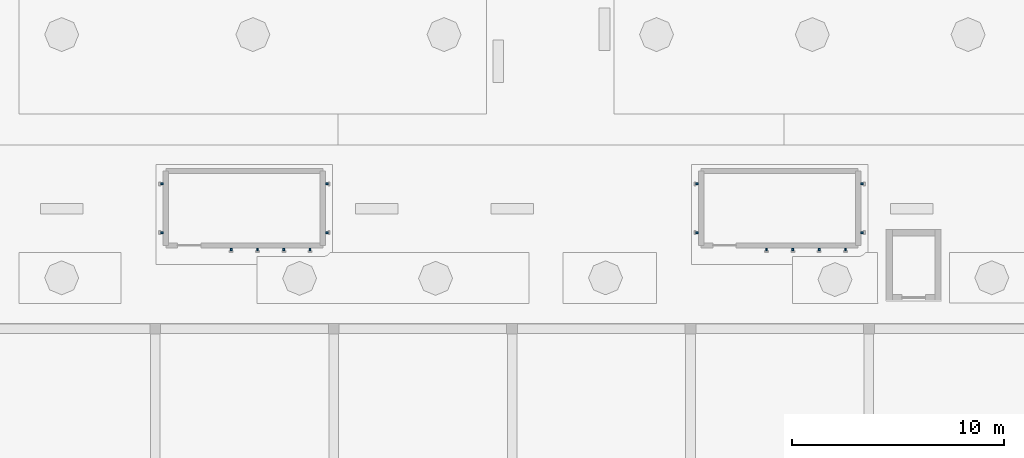
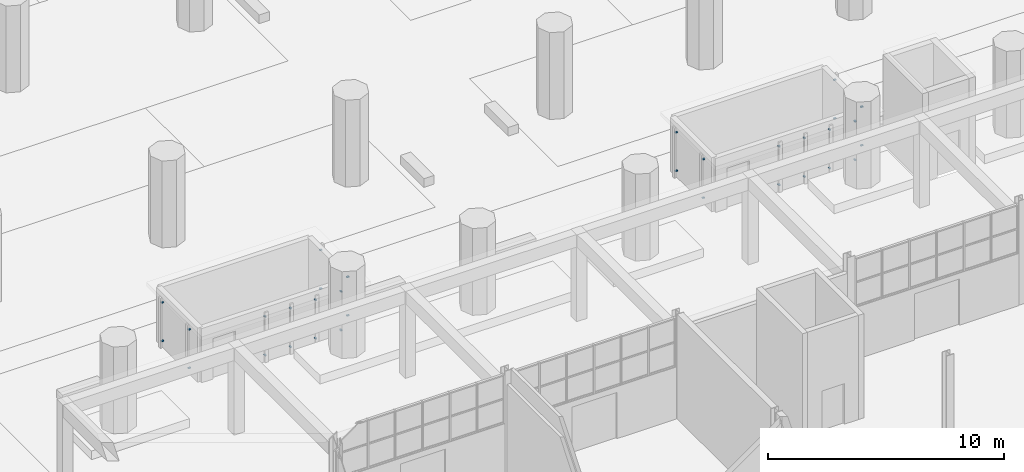
# One storey, part 90 of 127: 32 discrete accessories.
"""IFC4 building model written with IfcOpenShell, lengths in metres."""

from ifc_helpers import new_model, si_unit, direction, frame, origin, origin_2d, place, context, subcontext, project, spatial, rectangle, extrude, material, type_object, element, save


model = new_model("IFC4")

# Units and contexts
model_context = context("Model", 3, precision=1e-05, world=origin(), true_north=direction((0.0, 1.0)))
body_context = subcontext(model_context, "Body", "Model", "MODEL_VIEW")
ifc_project = project(units=[si_unit("LENGTHUNIT", "METRE"), si_unit("AREAUNIT", "SQUARE_METRE"), si_unit("VOLUMEUNIT", "CUBIC_METRE"), si_unit("PLANEANGLEUNIT", "RADIAN"), si_unit("MASSUNIT", "GRAM", prefix="KILO")], contexts=[model_context])

# Site, building, storey
site_placement = place(None, origin())
site = spatial("IfcSite", under=ifc_project, at=site_placement, CompositionType="ELEMENT")
building_placement = place(site_placement, origin())
building = spatial("IfcBuilding", under=site, at=building_placement, Name="Ljudholm Concert House", CompositionType="ELEMENT")
storey_placement = place(building_placement, origin())
storey = spatial("IfcBuildingStorey", under=building, at=storey_placement, Name="L00", CompositionType="ELEMENT", Elevation=0.0)

# Discrete accessories
ifc_material = material(Name="Stainless steel bracket", Category="steel")
discrete_accessory_type = type_object("IfcDiscreteAccessoryType", Name="BRACKET 120", PredefinedType="BRACKET", material=ifc_material)
for number, where, z_axis, x_axis, name in (
    (1, (15.97802734375, 142.139892578125, 0.369873046875), (0.0, 0.0, 1.0), (0.0, -1.0, 0.0), "Fin bracket"),
    (2, (15.97802734375, 142.139892578125, 2.369873046875), (0.0, 0.0, 1.0), (0.0, -1.0, 0.0), "Fin bracket"),
    (3, (17.217041015625, 142.139892578125, 0.369873046875), (0.0, 0.0, 1.0), (0.0, -1.0, 0.0), "Fin bracket"),
    (4, (17.217041015625, 142.139892578125, 2.369873046875), (0.0, 0.0, 1.0), (0.0, -1.0, 0.0), "Fin bracket"),
    (5, (18.4560546875, 142.139892578125, 0.369873046875), (0.0, 0.0, 1.0), (0.0, -1.0, 0.0), "Fin bracket"),
    (6, (18.4560546875, 142.139892578125, 2.369873046875), (0.0, 0.0, 1.0), (0.0, -1.0, 0.0), "Fin bracket"),
    (7, (19.695068359375, 142.139892578125, 0.369873046875), (0.0, 0.0, 1.0), (0.0, -1.0, 0.0), "Fin bracket"),
    (8, (19.695068359375, 142.139892578125, 2.369873046875), (0.0, 0.0, 1.0), (0.0, -1.0, 0.0), "Fin bracket"),
    (9, (12.715087890625, 142.925048828125, 0.369873046875), (0.0, 0.0, 1.0), (-1.0, 0.0, 0.0), "Fin bracket"),
    (10, (12.715087890625, 142.925048828125, 2.369873046875), (0.0, 0.0, 1.0), (-1.0, 0.0, 0.0), "Fin bracket"),
    (11, (12.715087890625, 145.22509765625, 0.369873046875), (0.0, 0.0, 1.0), (-1.0, 0.0, 0.0), "Fin bracket"),
    (12, (12.715087890625, 145.22509765625, 2.369873046875), (0.0, 0.0, 1.0), (-1.0, 0.0, 0.0), "Fin bracket"),
    (13, (20.47998046875, 142.925048828125, 0.369873046875), (0.0, 0.0, 1.0), (1.0, 0.0, 0.0), "Fin bracket"),
    (14, (20.47998046875, 142.925048828125, 2.369873046875), (0.0, 0.0, 1.0), (1.0, 0.0, 0.0), "Fin bracket"),
    (15, (20.47998046875, 145.22509765625, 0.369873046875), (0.0, 0.0, 1.0), (1.0, 0.0, 0.0), "Fin bracket"),
    (16, (20.47998046875, 145.22509765625, 2.369873046875), (0.0, 0.0, 1.0), (1.0, 0.0, 0.0), "Fin bracket"),
    (17, (41.177978515625, 142.139892578125, 0.369873046875), (0.0, 0.0, 1.0), (0.0, -1.0, 0.0), "Fin bracket"),
    (18, (41.177978515625, 142.139892578125, 2.369873046875), (0.0, 0.0, 1.0), (0.0, -1.0, 0.0), "Fin bracket"),
    (19, (42.4169921875, 142.139892578125, 0.369873046875), (0.0, 0.0, 1.0), (0.0, -1.0, 0.0), "Fin bracket"),
    (20, (42.4169921875, 142.139892578125, 2.369873046875), (0.0, 0.0, 1.0), (0.0, -1.0, 0.0), "Fin bracket"),
    (21, (43.656005859375, 142.139892578125, 0.369873046875), (0.0, 0.0, 1.0), (0.0, -1.0, 0.0), "Fin bracket"),
    (22, (43.656005859375, 142.139892578125, 2.369873046875), (0.0, 0.0, 1.0), (0.0, -1.0, 0.0), "Fin bracket"),
    (23, (44.89501953125, 142.139892578125, 0.369873046875), (0.0, 0.0, 1.0), (0.0, -1.0, 0.0), "Fin bracket"),
    (24, (44.89501953125, 142.139892578125, 2.369873046875), (0.0, 0.0, 1.0), (0.0, -1.0, 0.0), "Fin bracket"),
    (25, (37.9150390625, 142.925048828125, 0.369873046875), (0.0, 0.0, 1.0), (-1.0, 0.0, 0.0), "Fin bracket"),
    (26, (37.9150390625, 142.925048828125, 2.369873046875), (0.0, 0.0, 1.0), (-1.0, 0.0, 0.0), "Fin bracket"),
    (27, (37.9150390625, 145.22509765625, 0.369873046875), (0.0, 0.0, 1.0), (-1.0, 0.0, 0.0), "Fin bracket"),
    (28, (37.9150390625, 145.22509765625, 2.369873046875), (0.0, 0.0, 1.0), (-1.0, 0.0, 0.0), "Fin bracket"),
    (29, (45.679931640625, 142.925048828125, 0.369873046875), (0.0, 0.0, 1.0), (1.0, 0.0, 0.0), "Fin bracket"),
    (30, (45.679931640625, 142.925048828125, 2.369873046875), (0.0, 0.0, 1.0), (1.0, 0.0, 0.0), "Fin bracket"),
    (31, (45.679931640625, 145.22509765625, 0.369873046875), (0.0, 0.0, 1.0), (1.0, 0.0, 0.0), "Fin bracket"),
    (32, (45.679931640625, 145.22509765625, 2.369873046875), (0.0, 0.0, 1.0), (1.0, 0.0, 0.0), "Fin bracket"),
):
    element("IfcDiscreteAccessory", number, at=place(storey_placement, frame(where, z_axis=z_axis, x_axis=x_axis)), inside=storey, type_object=discrete_accessory_type, Name=name, PredefinedType="BRACKET", context=body_context, shape_type="SweptSolid", body=[
        extrude(rectangle(XDim=0.1201171875, YDim=0.080078125, at=origin_2d()), origin(), (0.0, 0.0, 1.0), 0.06005859375),
    ])

save(model, "model.ifc")
